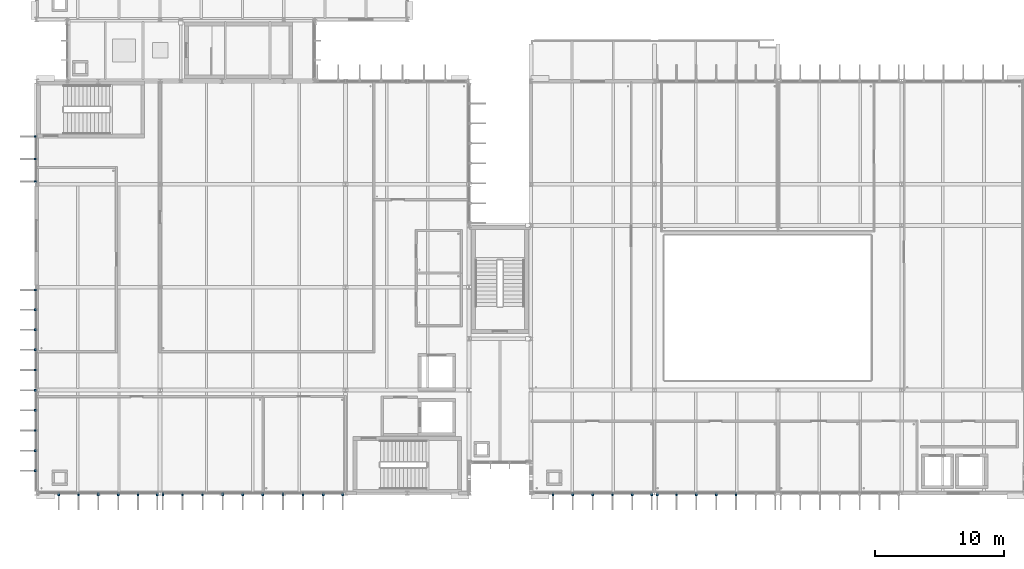
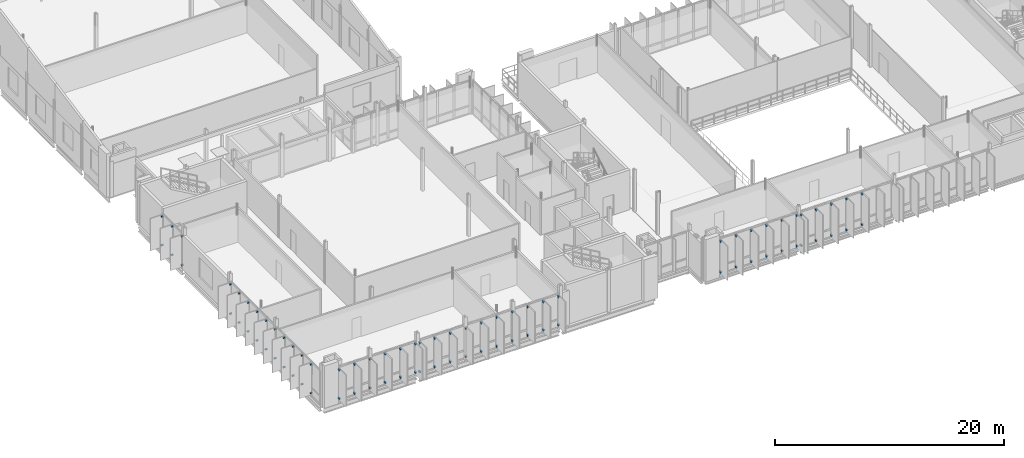
# One storey, part 78 of 93: 80 discrete accessories.
"""IFC4 building model written with IfcOpenShell, lengths in metres."""

from ifc_helpers import new_model, si_unit, direction, frame, origin, origin_2d, place, context, subcontext, project, spatial, rectangle, extrude, material, type_object, element, save


model = new_model("IFC4")

# Units and contexts
model_context = context("Model", 3, precision=1e-05, world=origin(), true_north=direction((0.0, 1.0)))
body_context = subcontext(model_context, "Body", "Model", "MODEL_VIEW")
ifc_project = project(units=[si_unit("LENGTHUNIT", "METRE"), si_unit("AREAUNIT", "SQUARE_METRE"), si_unit("VOLUMEUNIT", "CUBIC_METRE"), si_unit("PLANEANGLEUNIT", "RADIAN"), si_unit("MASSUNIT", "GRAM", prefix="KILO")], contexts=[model_context])

# Site, building, storey
site_placement = place(None, origin())
site = spatial("IfcSite", under=ifc_project, at=site_placement, CompositionType="ELEMENT")
building_placement = place(site_placement, origin())
building = spatial("IfcBuilding", under=site, at=building_placement, Name="Dunescarp Central Library", CompositionType="ELEMENT")
storey_placement = place(building_placement, frame((0.0, 0.0, 14.10009765625)))
storey = spatial("IfcBuildingStorey", under=building, at=storey_placement, Name="L03", CompositionType="ELEMENT", Elevation=14.10009765625)

# Discrete accessories
ifc_material = material(Name="Stainless steel Grade 316L", Category="steel")
discrete_accessory_type = type_object("IfcDiscreteAccessoryType", Name="ARC-ACC-BRK", PredefinedType="BRACKET", material=ifc_material)
for number, where, z_axis, x_axis, name in (
    (1, (9.385009765625, 4.719970703125, 0.27685546875), (0.0, 0.0, 1.0), (0.0, -1.0, 0.0), "Fin bracket BRK-FIN-L03-0120-B"),
    (2, (9.385009765625, 4.719970703125, 3.294921875), (0.0, 0.0, 1.0), (0.0, -1.0, 0.0), "Fin bracket BRK-FIN-L03-0120-T"),
    (3, (7.883056640625, 4.719970703125, 0.2900390625), (0.0, 0.0, 1.0), (0.0, -1.0, 0.0), "Fin bracket BRK-FIN-L03-0121-B"),
    (4, (7.883056640625, 4.719970703125, 3.294921875), (0.0, 0.0, 1.0), (0.0, -1.0, 0.0), "Fin bracket BRK-FIN-L03-0121-T"),
    (5, (6.342041015625, 4.719970703125, 0.27392578125), (0.0, 0.0, 1.0), (0.0, -1.0, 0.0), "Fin bracket BRK-FIN-L03-0122-B"),
    (6, (6.342041015625, 4.719970703125, 3.294921875), (0.0, 0.0, 1.0), (0.0, -1.0, 0.0), "Fin bracket BRK-FIN-L03-0122-T"),
    (7, (4.800048828125, 4.719970703125, 0.23291015625), (0.0, 0.0, 1.0), (0.0, -1.0, 0.0), "Fin bracket BRK-FIN-L03-0123-B"),
    (8, (4.800048828125, 4.719970703125, 3.294921875), (0.0, 0.0, 1.0), (0.0, -1.0, 0.0), "Fin bracket BRK-FIN-L03-0123-T"),
    (9, (3.258056640625, 4.719970703125, 0.18994140625), (0.0, 0.0, 1.0), (0.0, -1.0, 0.0), "Fin bracket BRK-FIN-L03-0124-B"),
    (10, (3.258056640625, 4.719970703125, 3.2841796875), (0.0, 0.0, 1.0), (0.0, -1.0, 0.0), "Fin bracket BRK-FIN-L03-0124-T"),
    (11, (1.717041015625, 4.719970703125, 0.18994140625), (0.0, 0.0, 1.0), (0.0, -1.0, 0.0), "Fin bracket BRK-FIN-L03-0125-B"),
    (12, (1.717041015625, 4.719970703125, 3.23388671875), (0.0, 0.0, 1.0), (0.0, -1.0, 0.0), "Fin bracket BRK-FIN-L03-0125-T"),
    (13, (23.784912109375, 4.719970703125, 0.27685546875), (0.0, 0.0, 1.0), (0.0, -1.0, 0.0), "Fin bracket BRK-FIN-L03-0126-B"),
    (14, (23.784912109375, 4.719970703125, 3.294921875), (0.0, 0.0, 1.0), (0.0, -1.0, 0.0), "Fin bracket BRK-FIN-L03-0126-T"),
    (15, (22.263916015625, 4.719970703125, 0.2900390625), (0.0, 0.0, 1.0), (0.0, -1.0, 0.0), "Fin bracket BRK-FIN-L03-0127-B"),
    (16, (22.263916015625, 4.719970703125, 3.294921875), (0.0, 0.0, 1.0), (0.0, -1.0, 0.0), "Fin bracket BRK-FIN-L03-0127-T"),
    (17, (20.702880859375, 4.719970703125, 0.27392578125), (0.0, 0.0, 1.0), (0.0, -1.0, 0.0), "Fin bracket BRK-FIN-L03-0128-B"),
    (18, (20.702880859375, 4.719970703125, 3.294921875), (0.0, 0.0, 1.0), (0.0, -1.0, 0.0), "Fin bracket BRK-FIN-L03-0128-T"),
    (19, (19.14208984375, 4.719970703125, 0.23291015625), (0.0, 0.0, 1.0), (0.0, -1.0, 0.0), "Fin bracket BRK-FIN-L03-0129-B"),
    (20, (19.14208984375, 4.719970703125, 3.294921875), (0.0, 0.0, 1.0), (0.0, -1.0, 0.0), "Fin bracket BRK-FIN-L03-0129-T"),
    (21, (17.5810546875, 4.719970703125, 0.18994140625), (0.0, 0.0, 1.0), (0.0, -1.0, 0.0), "Fin bracket BRK-FIN-L03-0130-B"),
    (22, (17.5810546875, 4.719970703125, 3.2841796875), (0.0, 0.0, 1.0), (0.0, -1.0, 0.0), "Fin bracket BRK-FIN-L03-0130-T"),
    (23, (16.01904296875, 4.719970703125, 0.18994140625), (0.0, 0.0, 1.0), (0.0, -1.0, 0.0), "Fin bracket BRK-FIN-L03-0131-B"),
    (24, (16.01904296875, 4.719970703125, 3.23388671875), (0.0, 0.0, 1.0), (0.0, -1.0, 0.0), "Fin bracket BRK-FIN-L03-0131-T"),
    (25, (14.4580078125, 4.719970703125, 0.18994140625), (0.0, 0.0, 1.0), (0.0, -1.0, 0.0), "Fin bracket BRK-FIN-L03-0132-B"),
    (26, (14.4580078125, 4.719970703125, 3.201171875), (0.0, 0.0, 1.0), (0.0, -1.0, 0.0), "Fin bracket BRK-FIN-L03-0132-T"),
    (27, (12.89697265625, 4.719970703125, 0.18994140625), (0.0, 0.0, 1.0), (0.0, -1.0, 0.0), "Fin bracket BRK-FIN-L03-0133-B"),
    (28, (12.89697265625, 4.719970703125, 3.19677734375), (0.0, 0.0, 1.0), (0.0, -1.0, 0.0), "Fin bracket BRK-FIN-L03-0133-T"),
    (29, (11.3359375, 4.719970703125, 0.18994140625), (0.0, 0.0, 1.0), (0.0, -1.0, 0.0), "Fin bracket BRK-FIN-L03-0134-B"),
    (30, (11.3359375, 4.719970703125, 3.22119140625), (0.0, 0.0, 1.0), (0.0, -1.0, 0.0), "Fin bracket BRK-FIN-L03-0134-T"),
    (31, (9.81494140625, 4.719970703125, 0.18994140625), (0.0, 0.0, 1.0), (0.0, -1.0, 0.0), "Fin bracket BRK-FIN-L03-0135-B"),
    (32, (9.81494140625, 4.719970703125, 3.26708984375), (0.0, 0.0, 1.0), (0.0, -1.0, 0.0), "Fin bracket BRK-FIN-L03-0135-T"),
    (33, (-0.080078125, 6.5400390625, 0.2900390625), (0.0, 0.0, 1.0), (-1.0, 0.0, 0.0), "Fin bracket BRK-FIN-L03-0143-B"),
    (34, (-0.080078125, 6.5400390625, 3.3447265625), (0.0, 0.0, 1.0), (-1.0, 0.0, 0.0), "Fin bracket BRK-FIN-L03-0143-T"),
    (35, (-0.080078125, 8.10498046875, 0.27392578125), (0.0, 0.0, 1.0), (-1.0, 0.0, 0.0), "Fin bracket BRK-FIN-L03-0144-B"),
    (36, (-0.080078125, 8.10498046875, 3.3447265625), (0.0, 0.0, 1.0), (-1.0, 0.0, 0.0), "Fin bracket BRK-FIN-L03-0144-T"),
    (37, (-0.080078125, 9.669921875, 0.23291015625), (0.0, 0.0, 1.0), (-1.0, 0.0, 0.0), "Fin bracket BRK-FIN-L03-0145-B"),
    (38, (-0.080078125, 9.669921875, 3.3447265625), (0.0, 0.0, 1.0), (-1.0, 0.0, 0.0), "Fin bracket BRK-FIN-L03-0145-T"),
    (39, (-0.080078125, 11.235107421875, 0.18994140625), (0.0, 0.0, 1.0), (-1.0, 0.0, 0.0), "Fin bracket BRK-FIN-L03-0146-B"),
    (40, (-0.080078125, 11.235107421875, 3.333984375), (0.0, 0.0, 1.0), (-1.0, 0.0, 0.0), "Fin bracket BRK-FIN-L03-0146-T"),
    (41, (-0.080078125, 12.800048828125, 0.18994140625), (0.0, 0.0, 1.0), (-1.0, 0.0, 0.0), "Fin bracket BRK-FIN-L03-0147-B"),
    (42, (-0.080078125, 12.800048828125, 3.2841796875), (0.0, 0.0, 1.0), (-1.0, 0.0, 0.0), "Fin bracket BRK-FIN-L03-0147-T"),
    (43, (-0.080078125, 14.364990234375, 0.18994140625), (0.0, 0.0, 1.0), (-1.0, 0.0, 0.0), "Fin bracket BRK-FIN-L03-0148-B"),
    (44, (-0.080078125, 14.364990234375, 3.2509765625), (0.0, 0.0, 1.0), (-1.0, 0.0, 0.0), "Fin bracket BRK-FIN-L03-0148-T"),
    (45, (-0.080078125, 15.929931640625, 0.18994140625), (0.0, 0.0, 1.0), (-1.0, 0.0, 0.0), "Fin bracket BRK-FIN-L03-0149-B"),
    (46, (-0.080078125, 15.929931640625, 3.2470703125), (0.0, 0.0, 1.0), (-1.0, 0.0, 0.0), "Fin bracket BRK-FIN-L03-0149-T"),
    (47, (-0.080078125, 17.4951171875, 0.18994140625), (0.0, 0.0, 1.0), (-1.0, 0.0, 0.0), "Fin bracket BRK-FIN-L03-0150-B"),
    (48, (-0.080078125, 17.4951171875, 3.27099609375), (0.0, 0.0, 1.0), (-1.0, 0.0, 0.0), "Fin bracket BRK-FIN-L03-0150-T"),
    (49, (-0.080078125, 19.06005859375, 0.18994140625), (0.0, 0.0, 1.0), (-1.0, 0.0, 0.0), "Fin bracket BRK-FIN-L03-0151-B"),
    (50, (-0.080078125, 19.06005859375, 3.31689453125), (0.0, 0.0, 1.0), (-1.0, 0.0, 0.0), "Fin bracket BRK-FIN-L03-0151-T"),
    (51, (-0.080078125, 20.5849609375, 0.2158203125), (0.0, 0.0, 1.0), (-1.0, 0.0, 0.0), "Fin bracket BRK-FIN-L03-0152-B"),
    (52, (-0.080078125, 20.5849609375, 3.3447265625), (0.0, 0.0, 1.0), (-1.0, 0.0, 0.0), "Fin bracket BRK-FIN-L03-0152-T"),
    (53, (-0.080078125, 29.014892578125, 0.27685546875), (0.0, 0.0, 1.0), (-1.0, 0.0, 0.0), "Fin bracket BRK-FIN-L03-0153-B"),
    (54, (-0.080078125, 29.014892578125, 3.3447265625), (0.0, 0.0, 1.0), (-1.0, 0.0, 0.0), "Fin bracket BRK-FIN-L03-0153-T"),
    (55, (-0.080078125, 30.761962890625, 0.2900390625), (0.0, 0.0, 1.0), (-1.0, 0.0, 0.0), "Fin bracket BRK-FIN-L03-0154-B"),
    (56, (-0.080078125, 30.761962890625, 3.3447265625), (0.0, 0.0, 1.0), (-1.0, 0.0, 0.0), "Fin bracket BRK-FIN-L03-0154-T"),
    (57, (-0.080078125, 32.510009765625, 0.27392578125), (0.0, 0.0, 1.0), (-1.0, 0.0, 0.0), "Fin bracket BRK-FIN-L03-0155-B"),
    (58, (-0.080078125, 32.510009765625, 3.3447265625), (0.0, 0.0, 1.0), (-1.0, 0.0, 0.0), "Fin bracket BRK-FIN-L03-0155-T"),
    (59, (47.784912109375, 4.719970703125, 0.27685546875), (0.0, 0.0, 1.0), (0.0, -1.0, 0.0), "Fin bracket BRK-FIN-L03-0424-B"),
    (60, (47.784912109375, 4.719970703125, 3.53173828125), (0.0, 0.0, 1.0), (0.0, -1.0, 0.0), "Fin bracket BRK-FIN-L03-0424-T"),
    (61, (46.282958984375, 4.719970703125, 0.2900390625), (0.0, 0.0, 1.0), (0.0, -1.0, 0.0), "Fin bracket BRK-FIN-L03-0425-B"),
    (62, (46.282958984375, 4.719970703125, 3.53173828125), (0.0, 0.0, 1.0), (0.0, -1.0, 0.0), "Fin bracket BRK-FIN-L03-0425-T"),
    (63, (44.741943359375, 4.719970703125, 0.27392578125), (0.0, 0.0, 1.0), (0.0, -1.0, 0.0), "Fin bracket BRK-FIN-L03-0426-B"),
    (64, (44.741943359375, 4.719970703125, 3.53173828125), (0.0, 0.0, 1.0), (0.0, -1.0, 0.0), "Fin bracket BRK-FIN-L03-0426-T"),
    (65, (43.199951171875, 4.719970703125, 0.23291015625), (0.0, 0.0, 1.0), (0.0, -1.0, 0.0), "Fin bracket BRK-FIN-L03-0427-B"),
    (66, (43.199951171875, 4.719970703125, 3.53173828125), (0.0, 0.0, 1.0), (0.0, -1.0, 0.0), "Fin bracket BRK-FIN-L03-0427-T"),
    (67, (41.657958984375, 4.719970703125, 0.18994140625), (0.0, 0.0, 1.0), (0.0, -1.0, 0.0), "Fin bracket BRK-FIN-L03-0428-B"),
    (68, (41.657958984375, 4.719970703125, 3.52099609375), (0.0, 0.0, 1.0), (0.0, -1.0, 0.0), "Fin bracket BRK-FIN-L03-0428-T"),
    (69, (40.116943359375, 4.719970703125, 0.18994140625), (0.0, 0.0, 1.0), (0.0, -1.0, 0.0), "Fin bracket BRK-FIN-L03-0429-B"),
    (70, (40.116943359375, 4.719970703125, 3.47119140625), (0.0, 0.0, 1.0), (0.0, -1.0, 0.0), "Fin bracket BRK-FIN-L03-0429-T"),
    (71, (54.342041015625, 4.719970703125, 0.27392578125), (0.0, 0.0, 1.0), (0.0, -1.0, 0.0), "Fin bracket BRK-FIN-L03-0432-B"),
    (72, (54.342041015625, 4.719970703125, 3.53173828125), (0.0, 0.0, 1.0), (0.0, -1.0, 0.0), "Fin bracket BRK-FIN-L03-0432-T"),
    (73, (52.800048828125, 4.719970703125, 0.23291015625), (0.0, 0.0, 1.0), (0.0, -1.0, 0.0), "Fin bracket BRK-FIN-L03-0433-B"),
    (74, (52.800048828125, 4.719970703125, 3.53173828125), (0.0, 0.0, 1.0), (0.0, -1.0, 0.0), "Fin bracket BRK-FIN-L03-0433-T"),
    (75, (51.258056640625, 4.719970703125, 0.18994140625), (0.0, 0.0, 1.0), (0.0, -1.0, 0.0), "Fin bracket BRK-FIN-L03-0434-B"),
    (76, (51.258056640625, 4.719970703125, 3.52099609375), (0.0, 0.0, 1.0), (0.0, -1.0, 0.0), "Fin bracket BRK-FIN-L03-0434-T"),
    (77, (49.717041015625, 4.719970703125, 0.18994140625), (0.0, 0.0, 1.0), (0.0, -1.0, 0.0), "Fin bracket BRK-FIN-L03-0435-B"),
    (78, (49.717041015625, 4.719970703125, 3.47119140625), (0.0, 0.0, 1.0), (0.0, -1.0, 0.0), "Fin bracket BRK-FIN-L03-0435-T"),
    (79, (48.215087890625, 4.719970703125, 0.18994140625), (0.0, 0.0, 1.0), (0.0, -1.0, 0.0), "Fin bracket BRK-FIN-L03-0436-B"),
    (80, (48.215087890625, 4.719970703125, 3.43798828125), (0.0, 0.0, 1.0), (0.0, -1.0, 0.0), "Fin bracket BRK-FIN-L03-0436-T"),
):
    element("IfcDiscreteAccessory", number, at=place(storey_placement, frame(where, z_axis=z_axis, x_axis=x_axis)), inside=storey, type_object=discrete_accessory_type, Name=name, PredefinedType="BRACKET", context=body_context, shape_type="SweptSolid", body=[
        extrude(rectangle(XDim=0.219970703125, YDim=0.139892578125, at=origin_2d()), origin(), (0.0, 0.0, 1.0), 0.139892578125),
    ])

save(model, "model.ifc")
